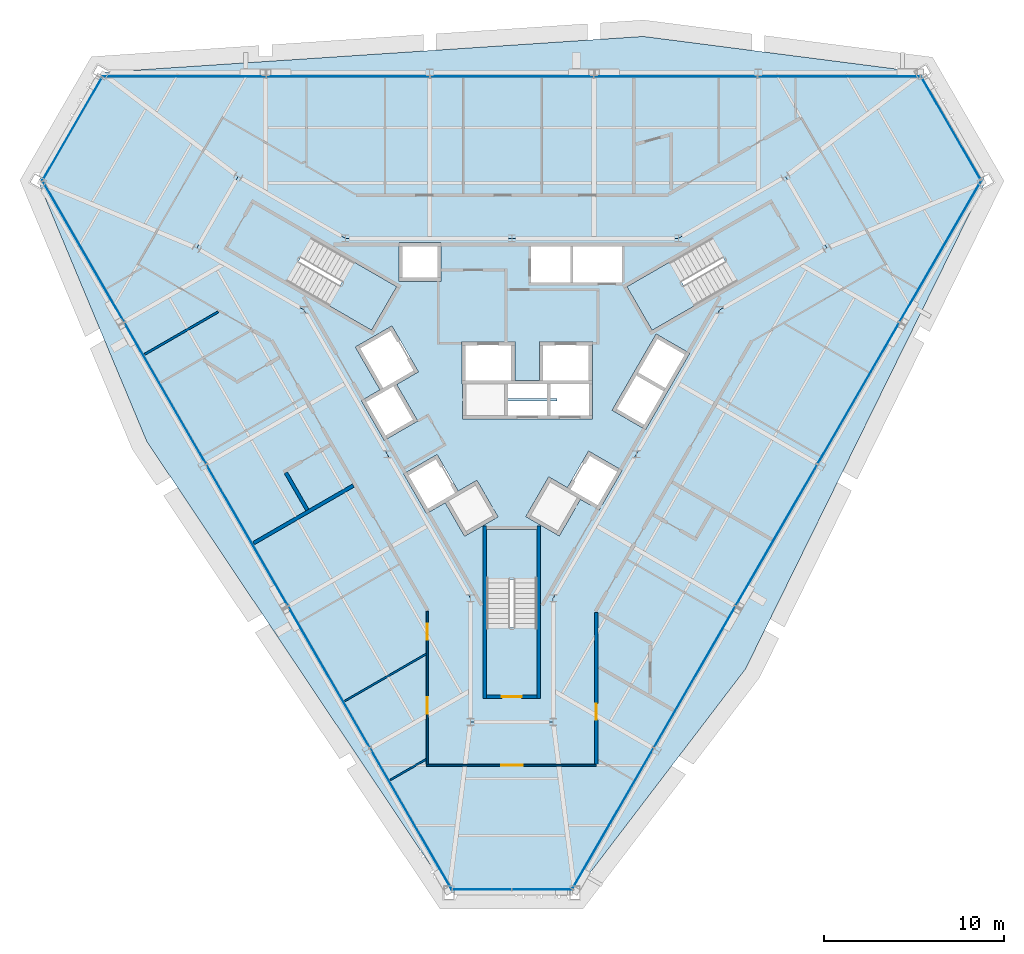
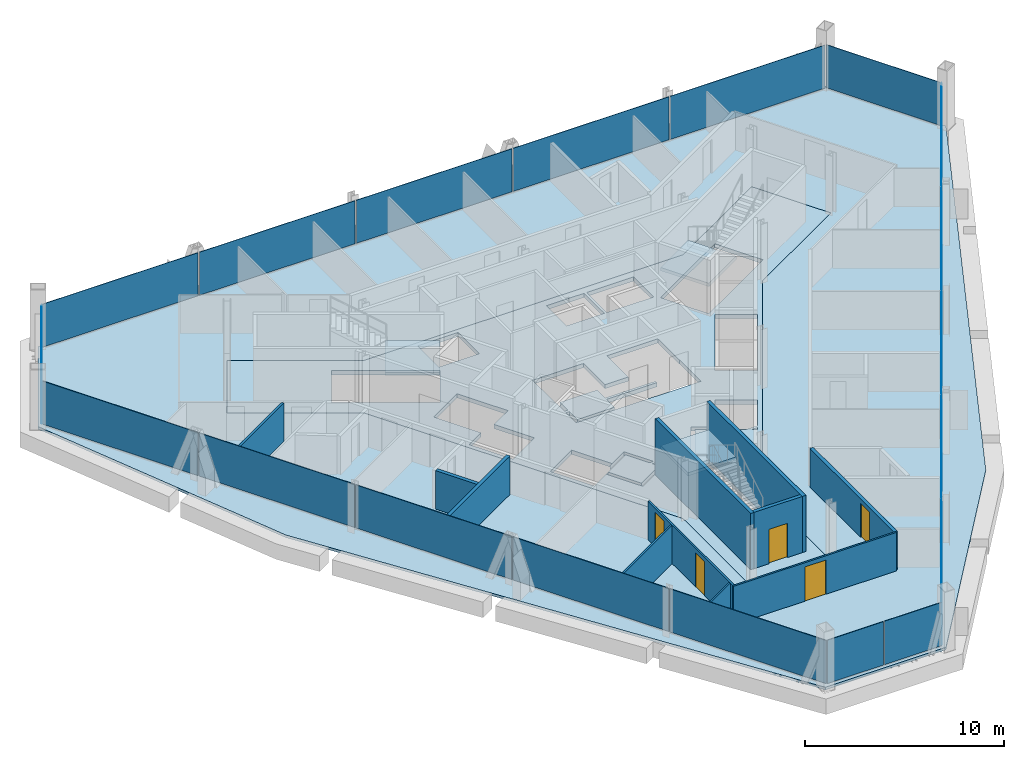
# One storey, part 9 of 15: 19 plates, 11 walls, 5 doors, 5 slabs, 5 openings, 9 elements without a shape of their own.
"""IFC4 building model written with IfcOpenShell, lengths in metres."""

from ifc_helpers import new_model, si_unit, direction, frame, frame_2d, origin, origin_2d, place, context, subcontext, project, spatial, polyline, rectangle, outline, extrude, material, layer, layer_set, type_object, element, fill, aggregate, save


model = new_model("IFC4")

# Units and contexts
model_context = context("Model", 3, precision=1e-05, world=origin(), true_north=direction((0.0, 1.0)))
body_context = subcontext(model_context, "Body", "Model", "MODEL_VIEW")
ifc_project = project(units=[si_unit("LENGTHUNIT", "METRE"), si_unit("AREAUNIT", "SQUARE_METRE"), si_unit("VOLUMEUNIT", "CUBIC_METRE"), si_unit("PLANEANGLEUNIT", "RADIAN"), si_unit("MASSUNIT", "GRAM", prefix="KILO")], contexts=[model_context])

# Site, building, storey
site_placement = place(None, origin())
site = spatial("IfcSite", under=ifc_project, at=site_placement, CompositionType="ELEMENT")
building_placement = place(site_placement, origin())
building = spatial("IfcBuilding", under=site, at=building_placement, Name="Verrane Prism Tower", CompositionType="ELEMENT")
storey_placement = place(building_placement, frame((0.0, 0.0, 254.5)))
storey = spatial("IfcBuildingStorey", under=building, at=storey_placement, Name="L64", CompositionType="ELEMENT", Elevation=254.5)

# Slabs
ifc_material_1 = material(Name="Concrete C35/45", Category="concrete")
ifc_layer_1 = layer(ifc_material_1, 0.159912109375)
ifc_layer_set_1 = layer_set([ifc_layer_1], Name="Composite floor slab")
slab_type_1 = type_object("IfcSlabType", Name="Composite floor slab", PredefinedType="FLOOR", material=ifc_layer_set_1)
slab_1_placement = place(storey_placement, frame((0.0, 0.0, -0.159912109375)))
element("IfcSlab", 1, at=slab_1_placement, inside=storey, type_object=slab_type_1, Name="Floor slab L64", PredefinedType="FLOOR", context=body_context, shape_type="SweptSolid", body=[
    extrude(outline(polyline([(12.999755859375, -15.94384765625), (3.5029296875, -28.392578125), (-3.5029296875, -28.392578125), (-20.3076171875, -3.2861328125), (-26.340087890625, 11.16259765625), (-22.837158203125, 17.22998046875), (7.307861328125, 19.22998046875), (22.837158203125, 17.22998046875), (26.340087890625, 11.16259765625), (12.999755859375, -15.94384765625)]), holes=[polyline([(17.52001953125, 7.4599609375), (15.219970703125, 11.43994140625), (9.260009765625, 8.0), (0.0, 8.0), (-9.260009765625, 8.0), (-15.219970703125, 11.43994140625), (-17.52001953125, 7.4599609375), (-11.56005859375, 4.02001953125), (-6.929931640625, -4.0), (-2.300048828125, -12.02001953125), (-2.300048828125, -18.89990234375), (2.300048828125, -18.89990234375), (2.300048828125, -12.02001953125), (6.929931640625, -4.0), (11.56005859375, 4.02001953125), (17.52001953125, 7.4599609375)])]), origin(), (0.0, 0.0, 1.0), 0.159912109375),
])
ifc_material_2 = material(Name="Concrete C40/50", Category="concrete")
ifc_layer_2 = layer(ifc_material_2, 0.25)
ifc_layer_set_2 = layer_set([ifc_layer_2], Name="Core floor slab 250 concrete C40/50")
slab_type_2 = type_object("IfcSlabType", Name="Core floor slab 250 concrete C40/50", PredefinedType="FLOOR", material=ifc_layer_set_2)
slab_2_placement = place(storey_placement, frame((0.0, 0.0, -0.25)))
element("IfcSlab", 2, at=slab_2_placement, inside=storey, type_object=slab_type_2, Name="Core floor L64", PredefinedType="FLOOR", context=body_context, shape_type="SweptSolid", body=[
    extrude(outline(polyline([(11.56005859375, 4.02001953125), (17.52001953125, 7.4599609375), (15.219970703125, 11.43994140625), (9.260009765625, 8.0), (0.0, 8.0), (-9.260009765625, 8.0), (-15.219970703125, 11.43994140625), (-17.52001953125, 7.4599609375), (-11.56005859375, 4.02001953125), (-6.929931640625, -4.0), (-2.300048828125, -12.02001953125), (-2.300048828125, -18.89990234375), (2.300048828125, -18.89990234375), (2.300048828125, -12.02001953125), (6.929931640625, -4.0), (11.56005859375, 4.02001953125)]), holes=[polyline([(1.39990234375, -8.199951171875), (1.39990234375, -13.639892578125), (-1.39990234375, -13.639892578125), (-1.39990234375, -8.199951171875), (1.39990234375, -8.199951171875)]), polyline([(-4.742919921875, -7.304931640625), (-6.01806640625, -5.096923828125), (-4.156005859375, -4.02197265625), (-2.98095703125, -6.056884765625), (-3.154052734375, -6.156982421875), (-1.94189453125, -5.45703125), (-1.08740234375, -6.93701171875), (-1.318359375, -6.93701171875), (-2.014892578125, -5.72998046875), (-3.681396484375, -6.69189453125), (-3.530029296875, -6.60498046875), (-2.554931640625, -8.2939453125), (-1.0400390625, -7.4189453125), (-1.231689453125, -7.0869140625), (-1.0009765625, -7.0869140625), (-0.76708984375, -7.491943359375), (-2.62890625, -8.56689453125), (-3.7041015625, -6.705078125), (-4.742919921875, -7.304931640625)]), polyline([(-7.801025390625, 2.887939453125), (-12.512939453125, 5.60791015625), (-11.113037109375, 8.031982421875), (-6.40087890625, 5.31201171875), (-7.801025390625, 2.887939453125)]), polyline([(-6.284912109375, 5.610107421875), (-6.284912109375, 7.760009765625), (-3.93505859375, 7.760009765625), (-3.93505859375, 5.610107421875), (-6.284912109375, 5.610107421875)]), polyline([(2.052001953125, -5.26611328125), (3.091064453125, -5.865966796875), (4.26611328125, -3.8310546875), (6.1279296875, -4.906005859375), (5.015380859375, -6.83349609375), (4.365478515625, -6.83349609375), (3.81396484375, -6.514892578125), (3.630126953125, -6.83349609375), (3.3984375, -6.83349609375), (3.639892578125, -6.4150390625), (3.791259765625, -6.501953125), (2.125, -5.5400390625), (1.050048828125, -7.402099609375), (2.56494140625, -8.277099609375), (3.311767578125, -6.9833984375), (3.54345703125, -6.9833984375), (2.638916015625, -8.550048828125), (0.777099609375, -7.47509765625), (2.052001953125, -5.26611328125)]), polyline([(4.85302734375, -7.114990234375), (4.679931640625, -7.014892578125), (4.625244140625, -6.9833984375), (4.928955078125, -6.9833984375), (4.85302734375, -7.114990234375)]), polyline([(9.887939453125, 1.60595703125), (7.43798828125, -2.636962890625), (5.575927734375, -1.56201171875), (8.02587890625, 2.680908203125), (9.887939453125, 1.60595703125)]), polyline([(1.52490234375, 0.10009765625), (1.52490234375, 2.25), (4.47509765625, 2.25), (4.47509765625, 0.10009765625), (4.4951171875, 0.10009765625), (4.4951171875, -2.050048828125), (-2.7548828125, -2.050048828125), (-2.7548828125, -1.050048828125), (-2.554931640625, -1.050048828125), (-2.554931640625, -1.85009765625), (-0.405029296875, -1.85009765625), (-0.405029296875, -1.050048828125), (2.52001953125, -1.050048828125), (2.52001953125, -0.89990234375), (-0.405029296875, -0.89990234375), (-0.405029296875, -0.10009765625), (-2.554931640625, -0.10009765625), (-2.554931640625, -0.89990234375), (-2.7548828125, -0.89990234375), (-2.7548828125, -0.10009765625), (-2.784912109375, -0.10009765625), (-2.784912109375, 2.25), (0.1650390625, 2.25), (0.1650390625, 0.10009765625), (1.52490234375, 0.10009765625)]), polyline([(6.40087890625, 5.31201171875), (11.113037109375, 8.031982421875), (12.512939453125, 5.60791015625), (7.801025390625, 2.887939453125), (6.40087890625, 5.31201171875)]), polyline([(3.264892578125, 5.534912109375), (1.074951171875, 5.534912109375), (1.074951171875, 7.56005859375), (3.264892578125, 7.56005859375), (3.264892578125, 5.534912109375)]), polyline([(6.125, 7.56005859375), (6.125, 5.534912109375), (3.4150390625, 5.534912109375), (3.4150390625, 7.56005859375), (6.125, 7.56005859375)]), polyline([(-5.23095703125, -2.159912109375), (-7.093017578125, -3.235107421875), (-8.367919921875, -1.02587890625), (-7.3291015625, -0.426025390625), (-8.7041015625, 1.955078125), (-6.66796875, 3.1298828125), (-5.193115234375, 0.574951171875), (-6.406005859375, -0.125), (-5.23095703125, -2.159912109375)])]), origin(), (0.0, 0.0, 1.0), 0.25),
])

# Curtain wall, plates
ifc_material_3 = material(Name="Aluminium framed insulated glazing", Category="aluminium")
curtain_wall_type_1 = type_object("IfcCurtainWallType", Name="Curtain wall CW-C 4200 module", PredefinedType="NOTDEFINED", material=ifc_material_3)
curtain_wall_1_placement = place(storey_placement, origin())
curtain_wall_1 = element("IfcCurtainWall", 3, at=curtain_wall_1_placement, inside=storey, type_object=curtain_wall_type_1, Name="Glazed curtain wall south corner L64", PredefinedType="NOTDEFINED")
ifc_material_4 = material(Name="Low-iron insulating glass unit", Category="glass")
ifc_layer_3 = layer(ifc_material_4, 0.02392578125)
ifc_layer_set_3 = layer_set([ifc_layer_3], Name="Glazing panel IGU 24")
plate_type_1 = type_object("IfcPlateType", Name="Glazing panel IGU 24", PredefinedType="CURTAIN_PANEL", material=ifc_layer_set_3)
plate_1_placement = place(storey_placement, frame((-1.658447265625, -28.215087890625, 0.0498046875), z_axis=(0.0, 0.0, 1.0), x_axis=(1.0, 0.0, 0.0)))
plate_1 = element("IfcPlate", 4, at=plate_1_placement, type_object=plate_type_1, Name="CW62.5 panel 1", PredefinedType="CURTAIN_PANEL", context=body_context, shape_type="SweptSolid", body=[
    extrude(rectangle(XDim=3.266845703125, YDim=0.02392578125, at=origin_2d()), origin(), (0.0, 0.0, 1.0), 2.662841796875),
])
plate_2_placement = place(storey_placement, frame((1.683349609375, -28.215087890625, 0.0498046875), z_axis=(0.0, 0.0, 1.0), x_axis=(1.0, 0.0, 0.0)))
plate_2 = element("IfcPlate", 5, at=plate_2_placement, type_object=plate_type_1, Name="CW62.5 panel 2", PredefinedType="CURTAIN_PANEL", context=body_context, shape_type="SweptSolid", body=[
    extrude(rectangle(XDim=3.31689453125, YDim=0.02392578125, at=origin_2d()), origin(), (0.0, 0.0, 1.0), 2.662841796875),
])
aggregate(curtain_wall_1, [plate_1, plate_2])

# Curtain wall, plate
ifc_material_5 = material(Name="Aluminium framed insulated glazing", Category="aluminium")
curtain_wall_type_2 = type_object("IfcCurtainWallType", Name="Curtain wall CW-B 5600 module", PredefinedType="NOTDEFINED", material=ifc_material_5)
curtain_wall_2_placement = place(storey_placement, origin())
curtain_wall_2 = element("IfcCurtainWall", 6, at=curtain_wall_2_placement, inside=storey, type_object=curtain_wall_type_2, Name="Glazed curtain wall north-west corner L64", PredefinedType="NOTDEFINED")
ifc_material_6 = material(Name="Low-iron insulating glass unit", Category="glass")
ifc_layer_4 = layer(ifc_material_6, 0.028076171875)
ifc_layer_set_4 = layer_set([ifc_layer_4], Name="Glazing panel IGU 28")
plate_type_2 = type_object("IfcPlateType", Name="Glazing panel IGU 28", PredefinedType="CURTAIN_PANEL", material=ifc_layer_set_4)
plate_3_placement = place(storey_placement, frame((-24.449951171875, 14.08154296875, 0.06005859375), z_axis=(0.0, 0.0, 1.0), x_axis=(-0.49999615137, -0.866027625781, 0.0)))
plate_3 = element("IfcPlate", 7, at=plate_3_placement, type_object=plate_type_2, Name="CW62.3 panel 1", PredefinedType="CURTAIN_PANEL", context=body_context, shape_type="SweptSolid", body=[
    extrude(rectangle(XDim=6.623779296875, YDim=0.028076171875, at=origin_2d()), origin(), (0.0, 0.0, 1.0), 2.65283203125),
])
aggregate(curtain_wall_2, [plate_3])

ifc_material_7 = material(Name="Aluminium framed insulated glazing", Category="aluminium")
curtain_wall_type_3 = type_object("IfcCurtainWallType", Name="Curtain wall CW-A 8400 module", PredefinedType="NOTDEFINED", material=ifc_material_7)
curtain_wall_3_placement = place(storey_placement, origin())
curtain_wall_3 = element("IfcCurtainWall", 8, at=curtain_wall_3_placement, inside=storey, type_object=curtain_wall_type_3, Name="Glazed curtain wall north-east corner L64", PredefinedType="NOTDEFINED")
ifc_material_8 = material(Name="Low-iron insulating glass unit", Category="glass")
ifc_layer_5 = layer(ifc_material_8, 0.031982421875)
ifc_layer_set_5 = layer_set([ifc_layer_5], Name="Glazing panel IGU 32")
plate_type_3 = type_object("IfcPlateType", Name="Glazing panel IGU 32", PredefinedType="CURTAIN_PANEL", material=ifc_layer_set_5)
plate_4_placement = place(storey_placement, frame((24.41748046875, 14.137939453125, 0.06982421875), z_axis=(0.0, 0.0, 1.0), x_axis=(-0.49999615137, 0.866027625781, 0.0)))
plate_4 = element("IfcPlate", 9, at=plate_4_placement, type_object=plate_type_3, Name="CW62.1 panel 1", PredefinedType="CURTAIN_PANEL", context=body_context, shape_type="SweptSolid", body=[
    extrude(rectangle(XDim=6.61376953125, YDim=0.031982421875, at=origin_2d()), origin(), (0.0, 0.0, 1.0), 2.642822265625),
])
aggregate(curtain_wall_3, [plate_4])

# Curtain wall, plates
curtain_wall_4_placement = place(storey_placement, origin())
curtain_wall_4 = element("IfcCurtainWall", 10, at=curtain_wall_4_placement, inside=storey, type_object=curtain_wall_type_3, Name="Glazed curtain wall north face L64", PredefinedType="NOTDEFINED")
plate_5_placement = place(storey_placement, frame((18.19384765625, 17.001708984375, 0.06982421875), z_axis=(0.0, 0.0, 1.0), x_axis=(-1.0, 0.0, 0.0)))
plate_5 = element("IfcPlate", 11, at=plate_5_placement, type_object=plate_type_3, Name="CW62.2 panel 1", PredefinedType="CURTAIN_PANEL", context=body_context, shape_type="SweptSolid", body=[
    extrude(rectangle(XDim=9.000732421875, YDim=0.031982421875, at=origin_2d()), origin(), (0.0, 0.0, 1.0), 2.642822265625),
])
plate_6_placement = place(storey_placement, frame((9.105712890625, 17.001708984375, 0.06982421875), z_axis=(0.0, 0.0, 1.0), x_axis=(-1.0, 0.0, 0.0)))
plate_6 = element("IfcPlate", 12, at=plate_6_placement, type_object=plate_type_3, Name="CW62.2 panel 2", PredefinedType="CURTAIN_PANEL", context=body_context, shape_type="SweptSolid", body=[
    extrude(rectangle(XDim=9.03564453125, YDim=0.031982421875, at=origin_2d()), origin(), (0.0, 0.0, 1.0), 2.642822265625),
])
plate_7_placement = place(storey_placement, frame((0.0, 17.001708984375, 0.06982421875), z_axis=(0.0, 0.0, 1.0), x_axis=(-1.0, 0.0, 0.0)))
plate_7 = element("IfcPlate", 13, at=plate_7_placement, type_object=plate_type_3, Name="CW62.2 panel 3", PredefinedType="CURTAIN_PANEL", context=body_context, shape_type="SweptSolid", body=[
    extrude(rectangle(XDim=9.03564453125, YDim=0.031982421875, at=origin_2d()), origin(), (0.0, 0.0, 1.0), 2.642822265625),
])
plate_8_placement = place(storey_placement, frame((-9.105712890625, 17.001708984375, 0.06982421875), z_axis=(0.0, 0.0, 1.0), x_axis=(-1.0, 0.0, 0.0)))
plate_8 = element("IfcPlate", 14, at=plate_8_placement, type_object=plate_type_3, Name="CW62.2 panel 4", PredefinedType="CURTAIN_PANEL", context=body_context, shape_type="SweptSolid", body=[
    extrude(rectangle(XDim=9.03564453125, YDim=0.031982421875, at=origin_2d()), origin(), (0.0, 0.0, 1.0), 2.642822265625),
])
plate_9_placement = place(storey_placement, frame((-18.228759765625, 17.001708984375, 0.06982421875), z_axis=(0.0, 0.0, 1.0), x_axis=(-1.0, 0.0, 0.0)))
plate_9 = element("IfcPlate", 15, at=plate_9_placement, type_object=plate_type_3, Name="CW62.2 panel 5", PredefinedType="CURTAIN_PANEL", context=body_context, shape_type="SweptSolid", body=[
    extrude(rectangle(XDim=9.070556640625, YDim=0.031982421875, at=origin_2d()), origin(), (0.0, 0.0, 1.0), 2.642822265625),
])
aggregate(curtain_wall_4, [plate_5, plate_6, plate_7, plate_8, plate_9])

curtain_wall_5_placement = place(storey_placement, origin())
curtain_wall_5 = element("IfcCurtainWall", 16, at=curtain_wall_5_placement, inside=storey, type_object=curtain_wall_type_3, Name="Glazed curtain wall south-west face L64", PredefinedType="NOTDEFINED")
plate_10_placement = place(storey_placement, frame((-23.82080078125, 7.25537109375, 0.06982421875), z_axis=(0.0, 0.0, 1.0), x_axis=(0.499999788753, -0.866025525748, 0.0)))
plate_10 = element("IfcPlate", 17, at=plate_10_placement, type_object=plate_type_3, Name="CW62.4 panel 1", PredefinedType="CURTAIN_PANEL", context=body_context, shape_type="SweptSolid", body=[
    extrude(rectangle(XDim=9.000732421875, YDim=0.031982421875, at=origin_2d()), origin(), (0.0, 0.0, 1.0), 2.642822265625),
])
plate_11_placement = place(storey_placement, frame((-19.27685546875, -0.615234375, 0.06982421875), z_axis=(0.0, 0.0, 1.0), x_axis=(0.499999788753, -0.866025525748, 0.0)))
plate_11 = element("IfcPlate", 18, at=plate_11_placement, type_object=plate_type_3, Name="CW62.4 panel 2", PredefinedType="CURTAIN_PANEL", context=body_context, shape_type="SweptSolid", body=[
    extrude(rectangle(XDim=9.03564453125, YDim=0.031982421875, at=origin_2d()), origin(), (0.0, 0.0, 1.0), 2.642822265625),
])
plate_12_placement = place(storey_placement, frame((-14.723876953125, -8.5009765625, 0.06982421875), z_axis=(0.0, 0.0, 1.0), x_axis=(0.499999788753, -0.866025525748, 0.0)))
plate_12 = element("IfcPlate", 19, at=plate_12_placement, type_object=plate_type_3, Name="CW62.4 panel 3", PredefinedType="CURTAIN_PANEL", context=body_context, shape_type="SweptSolid", body=[
    extrude(rectangle(XDim=9.03564453125, YDim=0.031982421875, at=origin_2d()), origin(), (0.0, 0.0, 1.0), 2.642822265625),
])
plate_13_placement = place(storey_placement, frame((-10.171142578125, -16.38671875, 0.06982421875), z_axis=(0.0, 0.0, 1.0), x_axis=(0.499999788753, -0.866025525748, 0.0)))
plate_13 = element("IfcPlate", 20, at=plate_13_placement, type_object=plate_type_3, Name="CW62.4 panel 4", PredefinedType="CURTAIN_PANEL", context=body_context, shape_type="SweptSolid", body=[
    extrude(rectangle(XDim=9.03564453125, YDim=0.031982421875, at=origin_2d()), origin(), (0.0, 0.0, 1.0), 2.642822265625),
])
plate_14_placement = place(storey_placement, frame((-5.609619140625, -24.28759765625, 0.06982421875), z_axis=(0.0, 0.0, 1.0), x_axis=(0.499999788753, -0.866025525748, 0.0)))
plate_14 = element("IfcPlate", 21, at=plate_14_placement, type_object=plate_type_3, Name="CW62.4 panel 5", PredefinedType="CURTAIN_PANEL", context=body_context, shape_type="SweptSolid", body=[
    extrude(rectangle(XDim=9.070556640625, YDim=0.031982421875, at=origin_2d()), origin(), (0.0, 0.0, 1.0), 2.642822265625),
])
aggregate(curtain_wall_5, [plate_10, plate_11, plate_12, plate_13, plate_14])

curtain_wall_6_placement = place(storey_placement, origin())
curtain_wall_6 = element("IfcCurtainWall", 22, at=curtain_wall_6_placement, inside=storey, type_object=curtain_wall_type_3, Name="Glazed curtain wall south-east face L64", PredefinedType="NOTDEFINED")
plate_15_placement = place(storey_placement, frame((5.626953125, -24.257080078125, 0.06982421875), z_axis=(0.0, 0.0, 1.0), x_axis=(0.499999788753, 0.866025525748, 0.0)))
plate_15 = element("IfcPlate", 23, at=plate_15_placement, type_object=plate_type_3, Name="CW62.6 panel 1", PredefinedType="CURTAIN_PANEL", context=body_context, shape_type="SweptSolid", body=[
    extrude(rectangle(XDim=9.000732421875, YDim=0.031982421875, at=origin_2d()), origin(), (0.0, 0.0, 1.0), 2.642822265625),
])
plate_16_placement = place(storey_placement, frame((10.171142578125, -16.38671875, 0.06982421875), z_axis=(0.0, 0.0, 1.0), x_axis=(0.499999788753, 0.866025525748, 0.0)))
plate_16 = element("IfcPlate", 24, at=plate_16_placement, type_object=plate_type_3, Name="CW62.6 panel 2", PredefinedType="CURTAIN_PANEL", context=body_context, shape_type="SweptSolid", body=[
    extrude(rectangle(XDim=9.03564453125, YDim=0.031982421875, at=origin_2d()), origin(), (0.0, 0.0, 1.0), 2.642822265625),
])
plate_17_placement = place(storey_placement, frame((14.723876953125, -8.5009765625, 0.06982421875), z_axis=(0.0, 0.0, 1.0), x_axis=(0.499999788753, 0.866025525748, 0.0)))
plate_17 = element("IfcPlate", 25, at=plate_17_placement, type_object=plate_type_3, Name="CW62.6 panel 3", PredefinedType="CURTAIN_PANEL", context=body_context, shape_type="SweptSolid", body=[
    extrude(rectangle(XDim=9.03564453125, YDim=0.031982421875, at=origin_2d()), origin(), (0.0, 0.0, 1.0), 2.642822265625),
])
plate_18_placement = place(storey_placement, frame((19.27685546875, -0.615234375, 0.06982421875), z_axis=(0.0, 0.0, 1.0), x_axis=(0.499999788753, 0.866025525748, 0.0)))
plate_18 = element("IfcPlate", 26, at=plate_18_placement, type_object=plate_type_3, Name="CW62.6 panel 4", PredefinedType="CURTAIN_PANEL", context=body_context, shape_type="SweptSolid", body=[
    extrude(rectangle(XDim=9.03564453125, YDim=0.031982421875, at=origin_2d()), origin(), (0.0, 0.0, 1.0), 2.642822265625),
])
plate_19_placement = place(storey_placement, frame((23.83837890625, 7.28564453125, 0.06982421875), z_axis=(0.0, 0.0, 1.0), x_axis=(0.499999788753, 0.866025525748, 0.0)))
plate_19 = element("IfcPlate", 27, at=plate_19_placement, type_object=plate_type_3, Name="CW62.6 panel 5", PredefinedType="CURTAIN_PANEL", context=body_context, shape_type="SweptSolid", body=[
    extrude(rectangle(XDim=9.070556640625, YDim=0.031982421875, at=origin_2d()), origin(), (0.0, 0.0, 1.0), 2.642822265625),
])
aggregate(curtain_wall_6, [plate_15, plate_16, plate_17, plate_18, plate_19])

# Stair, slab
ifc_material_9 = material(Name="Concrete C40/50", Category="concrete")
stair_type = type_object("IfcStairType", Name="Exit stair 1300 dog-leg precast concrete C40/50", PredefinedType="HALF_TURN_STAIR", material=ifc_material_9)
stair_1_placement = place(storey_placement, origin())
stair_1 = element("IfcStair", 28, at=stair_1_placement, inside=storey, type_object=stair_type, Name="Stair 1 L64", PredefinedType="HALF_TURN_STAIR")
ifc_material_10 = material(Name="Concrete C40/50", Category="concrete")
ifc_layer_6 = layer(ifc_material_10, 0.199951171875)
ifc_layer_set_6 = layer_set([ifc_layer_6], Name="Stair landing 200 precast concrete C40/50")
slab_type_3 = type_object("IfcSlabType", Name="Stair landing 200 precast concrete C40/50", PredefinedType="LANDING", material=ifc_layer_set_6)
slab_3_placement = place(storey_placement, frame((0.0, 0.0, 1.64990234375)))
slab_3 = element("IfcSlab", 29, at=slab_3_placement, type_object=slab_type_3, Name="Stair 1 landing 1", PredefinedType="LANDING", context=body_context, shape_type="SweptSolid", body=[
    extrude(outline(polyline([(8.791748046875, 6.6923828125), (6.4013671875, 5.3125), (7.801513671875, 2.887451171875), (10.191650390625, 4.267578125), (8.791748046875, 6.6923828125)])), origin(), (0.0, 0.0, 1.0), 0.2001953125),
])
aggregate(stair_1, [slab_3])

stair_2_placement = place(storey_placement, origin())
stair_2 = element("IfcStair", 30, at=stair_2_placement, inside=storey, type_object=stair_type, Name="Stair 2 L64", PredefinedType="HALF_TURN_STAIR")
slab_4_placement = place(storey_placement, frame((0.0, 0.0, 1.64990234375)))
slab_4 = element("IfcSlab", 31, at=slab_4_placement, type_object=slab_type_3, Name="Stair 2 landing 1", PredefinedType="LANDING", context=body_context, shape_type="SweptSolid", body=[
    extrude(outline(polyline([(-10.191650390625, 4.267578125), (-7.801513671875, 2.887451171875), (-6.4013671875, 5.3125), (-8.791748046875, 6.6923828125), (-10.191650390625, 4.267578125)])), origin(), (0.0, 0.0, 1.0), 0.2001953125),
])
aggregate(stair_2, [slab_4])

stair_3_placement = place(storey_placement, origin())
stair_3 = element("IfcStair", 32, at=stair_3_placement, inside=storey, type_object=stair_type, Name="Stair 3 L64", PredefinedType="HALF_TURN_STAIR")
slab_5_placement = place(storey_placement, frame((0.0, 0.0, 1.64990234375)))
slab_5 = element("IfcSlab", 33, at=slab_5_placement, type_object=slab_type_3, Name="Stair 3 landing 1", PredefinedType="LANDING", context=body_context, shape_type="SweptSolid", body=[
    extrude(outline(polyline([(1.39990234375, -10.9599609375), (1.39990234375, -8.199951171875), (-1.39990234375, -8.199951171875), (-1.39990234375, -10.9599609375), (1.39990234375, -10.9599609375)])), origin(), (0.0, 0.0, 1.0), 0.2001953125),
])
aggregate(stair_3, [slab_5])

# Wall, opening, door
ifc_material_11 = material(Name="Concrete C40/50", Category="concrete")
ifc_layer_7 = layer(ifc_material_11, 0.199951171875)
ifc_layer_set_7 = layer_set([ifc_layer_7], Name="CW-200 stair core wall concrete C40/50 3 h")
wall_type_1 = type_object("IfcWallType", Name="CW-200 stair core wall concrete C40/50 3 h", PredefinedType="PARTITIONING", material=ifc_layer_set_7)
wall_1_placement = place(storey_placement, frame((-1.39990234375, -17.5, 0.0), z_axis=(0.0, 0.0, 1.0), x_axis=(1.0, 0.0, 0.0)))
wall_1 = element("IfcWall", 34, at=wall_1_placement, inside=storey, type_object=wall_type_1, Name="Stair 3 enclosure wall", PredefinedType="PARTITIONING", context=body_context, shape_type="SweptSolid", body=[
    extrude(rectangle(XDim=2.7998046875, YDim=0.199951171875, at=frame_2d((1.39990234375, 0.0))), origin(), (0.0, 0.0, 1.0), 3.449951171875),
])
opening_1_placement = place(wall_1_placement, frame((0.85009765625, 0.0, 0.0)))
opening_1 = element("IfcOpeningElement", 35, at=opening_1_placement, cuts=wall_1, Name="Opening D62502", PredefinedType="OPENING", context=body_context, shape_type="SweptSolid", body=[
    extrude(rectangle(XDim=1.10009765625, YDim=2.10009765625, at=frame_2d((0.550048828125, 1.050048828125))), frame((0.0, 0.10986328125, 0.0), z_axis=(0.0, -1.0, 0.0), x_axis=(1.0, 0.0, 0.0)), (0.0, 0.0, 1.0), 0.219970703125),
])
ifc_material_12 = material(Name="Timber veneered door leaf", Category="wood")
door_type_1 = type_object("IfcDoorType", Name="DR-1100x2100 FD90 single leaf stair", OperationType="NOTDEFINED", PredefinedType="DOOR", material=ifc_material_12)
door_1_placement = place(opening_1_placement, origin())
door_1 = element("IfcDoor", 36, at=door_1_placement, inside=storey, type_object=door_type_1, Name="Stair 3 door", OperationType="SINGLE_SWING_LEFT", OverallHeight=2.10009765625, OverallWidth=1.10009765625, PredefinedType="DOOR", context=body_context, shape_type="SweptSolid", body=[
    extrude(rectangle(XDim=1.10009765625, YDim=2.10009765625, at=frame_2d((0.550048828125, 1.050048828125))), frame((0.0, 0.02490234375, 0.0), z_axis=(0.0, -1.0, 0.0), x_axis=(1.0, 0.0, 0.0)), (0.0, 0.0, 1.0), 0.050048828125),
])
fill(opening_1, door_1)

# Walls
for number, where, z_axis, x_axis, name in (
    (37, (1.5, -8.0, 0.0), (0.0, 0.0, 1.0), (0.0, -1.0, 0.0), "Stair 3 enclosure wall"),
    (38, (-1.5, -8.0, 0.0), (0.0, 0.0, 1.0), (0.0, -1.0, 0.0), "Stair 3 enclosure wall"),
):
    element("IfcWall", number, at=place(storey_placement, frame(where, z_axis=z_axis, x_axis=x_axis)), inside=storey, type_object=wall_type_1, Name=name, PredefinedType="PARTITIONING", context=body_context, shape_type="SweptSolid", body=[
        extrude(rectangle(XDim=9.60009765625, YDim=0.199951171875, at=frame_2d((4.800048828125, 0.0))), origin(), (0.0, 0.0, 1.0), 3.449951171875),
    ])
ifc_material_13 = material(Name="Gypsum board partition", Category="other")
ifc_layer_8 = layer(ifc_material_13, 0.10009765625)
ifc_layer_set_8 = layer_set([ifc_layer_8], Name="PW-100 room partition")
wall_type_2 = type_object("IfcWallType", Name="PW-100 room partition", PredefinedType="PARTITIONING", material=ifc_layer_set_8)
wall_2_placement = place(storey_placement, frame((-9.2861328125, -17.727294921875, 0.0), z_axis=(0.0, 0.0, 1.0), x_axis=(0.865990461678, 0.50006051662, 0.0)))
element("IfcWall", 39, at=wall_2_placement, inside=storey, type_object=wall_type_2, Name="Room partition 020", PredefinedType="PARTITIONING", context=body_context, shape_type="SweptSolid", body=[
    extrude(rectangle(XDim=5.209228515625, YDim=0.10009765625, at=frame_2d((2.6044921875, 0.0))), origin(), (0.0, 0.0, 1.0), 2.362060546875),
])
wall_3_placement = place(storey_placement, frame((-6.751953125, -22.1162109375, 0.0), z_axis=(0.0, 0.0, 1.0), x_axis=(0.866135723987, 0.499808871103, 0.0)))
element("IfcWall", 40, at=wall_3_placement, inside=storey, type_object=wall_type_2, Name="Room partition 023", PredefinedType="PARTITIONING", context=body_context, shape_type="SweptSolid", body=[
    extrude(rectangle(XDim=2.28271484375, YDim=0.10009765625, at=frame_2d((1.141357421875, 0.0))), origin(), (0.0, 0.0, 1.0), 2.362060546875),
])

# Wall, openings, doors
wall_4_placement = place(storey_placement, frame((-4.699951171875, -21.25, 0.0), z_axis=(0.0, 0.0, 1.0), x_axis=(0.0, 1.0, 0.0)))
wall_4 = element("IfcWall", 41, at=wall_4_placement, inside=storey, type_object=wall_type_2, Name="Room partition 024", PredefinedType="PARTITIONING", context=body_context, shape_type="SweptSolid", body=[
    extrude(rectangle(XDim=8.501953125, YDim=0.10009765625, at=frame_2d((4.2509765625, 0.0))), origin(), (0.0, 0.0, 1.0), 2.362060546875),
])
opening_2_placement = place(wall_4_placement, frame((6.9208984375, 0.0, 0.0)))
opening_2 = element("IfcOpeningElement", 42, at=opening_2_placement, cuts=wall_4, Name="Opening D62024", PredefinedType="OPENING", context=body_context, shape_type="SweptSolid", body=[
    extrude(rectangle(XDim=0.89990234375, YDim=2.10009765625, at=frame_2d((0.449951171875, 1.050048828125))), frame((0.0, 0.06005859375, 0.0), z_axis=(0.0, -1.0, 0.0), x_axis=(1.0, 0.0, 0.0)), (0.0, 0.0, 1.0), 0.1201171875),
])
opening_3_placement = place(wall_4_placement, frame((2.818115234375, 0.0, 0.0)))
opening_3 = element("IfcOpeningElement", 43, at=opening_3_placement, cuts=wall_4, Name="Opening D62025", PredefinedType="OPENING", context=body_context, shape_type="SweptSolid", body=[
    extrude(rectangle(XDim=0.89990234375, YDim=2.10009765625, at=frame_2d((0.449951171875, 1.050048828125))), frame((0.0, 0.06005859375, 0.0), z_axis=(0.0, -1.0, 0.0), x_axis=(1.0, 0.0, 0.0)), (0.0, 0.0, 1.0), 0.1201171875),
])
ifc_material_14 = material(Name="Timber veneered door leaf", Category="wood")
door_type_2 = type_object("IfcDoorType", Name="DR-900x2100 single leaf unit", OperationType="NOTDEFINED", PredefinedType="DOOR", material=ifc_material_14)
door_2_placement = place(opening_2_placement, origin())
door_2 = element("IfcDoor", 44, at=door_2_placement, inside=storey, type_object=door_type_2, Name="Study door", OperationType="SINGLE_SWING_RIGHT", OverallHeight=2.10009765625, OverallWidth=0.89990234375, PredefinedType="DOOR", context=body_context, shape_type="SweptSolid", body=[
    extrude(rectangle(XDim=0.89990234375, YDim=2.10009765625, at=frame_2d((0.449951171875, 1.050048828125))), frame((0.0, 0.02490234375, 0.0), z_axis=(0.0, -1.0, 0.0), x_axis=(1.0, 0.0, 0.0)), (0.0, 0.0, 1.0), 0.050048828125),
])
fill(opening_2, door_2)
door_3_placement = place(opening_3_placement, origin())
door_3 = element("IfcDoor", 45, at=door_3_placement, inside=storey, type_object=door_type_2, Name="Study door", OperationType="SINGLE_SWING_LEFT", OverallHeight=2.10009765625, OverallWidth=0.89990234375, PredefinedType="DOOR", context=body_context, shape_type="SweptSolid", body=[
    extrude(rectangle(XDim=0.89990234375, YDim=2.10009765625, at=frame_2d((0.449951171875, 1.050048828125))), frame((0.0, 0.02490234375, 0.0), z_axis=(0.0, -1.0, 0.0), x_axis=(1.0, 0.0, 0.0)), (0.0, 0.0, 1.0), 0.050048828125),
])
fill(opening_3, door_3)

# Wall, opening, door
wall_5_placement = place(storey_placement, frame((4.699951171875, -21.300048828125, 0.0), z_axis=(0.0, 0.0, 1.0), x_axis=(-1.0, 0.0, 0.0)))
wall_5 = element("IfcWall", 46, at=wall_5_placement, inside=storey, type_object=wall_type_2, Name="Room partition 025", PredefinedType="PARTITIONING", context=body_context, shape_type="SweptSolid", body=[
    extrude(rectangle(XDim=9.449951171875, YDim=0.10009765625, at=frame_2d((4.72509765625, 0.0))), origin(), (0.0, 0.0, 1.0), 2.362060546875),
])
opening_4_placement = place(wall_5_placement, frame((4.10009765625, 0.0, 0.0)))
opening_4 = element("IfcOpeningElement", 47, at=opening_4_placement, cuts=wall_5, Name="Opening D62026", PredefinedType="OPENING", context=body_context, shape_type="SweptSolid", body=[
    extrude(rectangle(XDim=1.199951171875, YDim=2.10009765625, at=frame_2d((0.60009765625, 1.050048828125))), frame((0.0, 0.06005859375, 0.0), z_axis=(0.0, -1.0, 0.0), x_axis=(1.0, 0.0, 0.0)), (0.0, 0.0, 1.0), 0.1201171875),
])
ifc_material_15 = material(Name="Timber veneered door leaf", Category="wood")
door_type_3 = type_object("IfcDoorType", Name="DR-1200x2100 single leaf unit", OperationType="NOTDEFINED", PredefinedType="DOOR", material=ifc_material_15)
door_4_placement = place(opening_4_placement, origin())
door_4 = element("IfcDoor", 48, at=door_4_placement, inside=storey, type_object=door_type_3, Name="Living And Dining Room door", OperationType="SINGLE_SWING_LEFT", OverallHeight=2.10009765625, OverallWidth=1.199951171875, PredefinedType="DOOR", context=body_context, shape_type="SweptSolid", body=[
    extrude(rectangle(XDim=1.199951171875, YDim=2.10009765625, at=frame_2d((0.60009765625, 1.050048828125))), frame((0.0, 0.02490234375, 0.0), z_axis=(0.0, -1.0, 0.0), x_axis=(1.0, 0.0, 0.0)), (0.0, 0.0, 1.0), 0.050048828125),
])
fill(opening_4, door_4)

# Walls
ifc_material_16 = material(Name="Gypsum board partition", Category="other")
ifc_layer_9 = layer(ifc_material_16, 0.125)
ifc_layer_set_9 = layer_set([ifc_layer_9], Name="PW-125 corridor wall 1 h")
wall_type_3 = type_object("IfcWallType", Name="PW-125 corridor wall 1 h", PredefinedType="PARTITIONING", material=ifc_layer_set_9)
wall_6_placement = place(storey_placement, frame((-20.41796875, 1.552978515625, 0.0), z_axis=(0.0, 0.0, 1.0), x_axis=(0.8660976733, 0.49987480463, 0.0)))
element("IfcWall", 49, at=wall_6_placement, inside=storey, type_object=wall_type_3, Name="Corridor wall 004", PredefinedType="PARTITIONING", context=body_context, shape_type="SweptSolid", body=[
    extrude(rectangle(XDim=4.716552734375, YDim=0.125, at=frame_2d((2.3583984375, 0.0))), origin(), (0.0, 0.0, 1.0), 2.362060546875),
])
ifc_material_17 = material(Name="Gypsum board partition", Category="other")
ifc_layer_10 = layer(ifc_material_17, 0.199951171875)
ifc_layer_set_10 = layer_set([ifc_layer_10], Name="PW-200 plumbing wall")
wall_type_4 = type_object("IfcWallType", Name="PW-200 plumbing wall", PredefinedType="PARTITIONING", material=ifc_layer_set_10)
wall_7_placement = place(storey_placement, frame((-14.35498046875, -8.947998046875, 0.0), z_axis=(0.0, 0.0, 1.0), x_axis=(0.866039463868, 0.499975646431, 0.0)))
element("IfcWall", 50, at=wall_7_placement, inside=storey, type_object=wall_type_4, Name="Plumbing wall 012", PredefinedType="PARTITIONING", context=body_context, shape_type="SweptSolid", body=[
    extrude(rectangle(XDim=6.399169921875, YDim=0.199951171875, at=frame_2d((3.19970703125, 0.0))), origin(), (0.0, 0.0, 1.0), 2.362060546875),
])
wall_8_placement = place(storey_placement, frame((-12.570068359375, -5.030517578125, 0.0), z_axis=(0.0, 0.0, 1.0), x_axis=(0.499943030081, -0.866058292884, 0.0)))
element("IfcWall", 51, at=wall_8_placement, inside=storey, type_object=wall_type_4, Name="Plumbing wall 014", PredefinedType="PARTITIONING", context=body_context, shape_type="SweptSolid", body=[
    extrude(rectangle(XDim=2.395263671875, YDim=0.199951171875, at=frame_2d((1.19775390625, 0.0))), origin(), (0.0, 0.0, 1.0), 2.362060546875),
])

# Wall, opening, door
wall_9_placement = place(storey_placement, frame((4.699951171875, -12.798095703125, 0.0), z_axis=(0.0, 0.0, 1.0), x_axis=(0.0, -1.0, 0.0)))
wall_9 = element("IfcWall", 52, at=wall_9_placement, inside=storey, type_object=wall_type_4, Name="Plumbing wall 028", PredefinedType="PARTITIONING", context=body_context, shape_type="SweptSolid", body=[
    extrude(rectangle(XDim=8.451904296875, YDim=0.199951171875, at=frame_2d((4.22607421875, 0.0))), origin(), (0.0, 0.0, 1.0), 2.362060546875),
])
opening_5_placement = place(wall_9_placement, frame((5.083984375, 0.0, 0.0)))
opening_5 = element("IfcOpeningElement", 53, at=opening_5_placement, cuts=wall_9, Name="Opening D62001", PredefinedType="OPENING", context=body_context, shape_type="SweptSolid", body=[
    extrude(rectangle(XDim=0.89990234375, YDim=2.10009765625, at=frame_2d((0.449951171875, 1.050048828125))), frame((0.0, 0.10986328125, 0.0), z_axis=(0.0, -1.0, 0.0), x_axis=(1.0, 0.0, 0.0)), (0.0, 0.0, 1.0), 0.219970703125),
])
door_5_placement = place(opening_5_placement, origin())
door_5 = element("IfcDoor", 54, at=door_5_placement, inside=storey, type_object=door_type_2, Name="Kitchen door", OperationType="SINGLE_SWING_RIGHT", OverallHeight=2.10009765625, OverallWidth=0.89990234375, PredefinedType="DOOR", context=body_context, shape_type="SweptSolid", body=[
    extrude(rectangle(XDim=0.89990234375, YDim=2.10009765625, at=frame_2d((0.449951171875, 1.050048828125))), frame((0.0, 0.02490234375, 0.0), z_axis=(0.0, -1.0, 0.0), x_axis=(1.0, 0.0, 0.0)), (0.0, 0.0, 1.0), 0.050048828125),
])
fill(opening_5, door_5)

save(model, "model.ifc")
